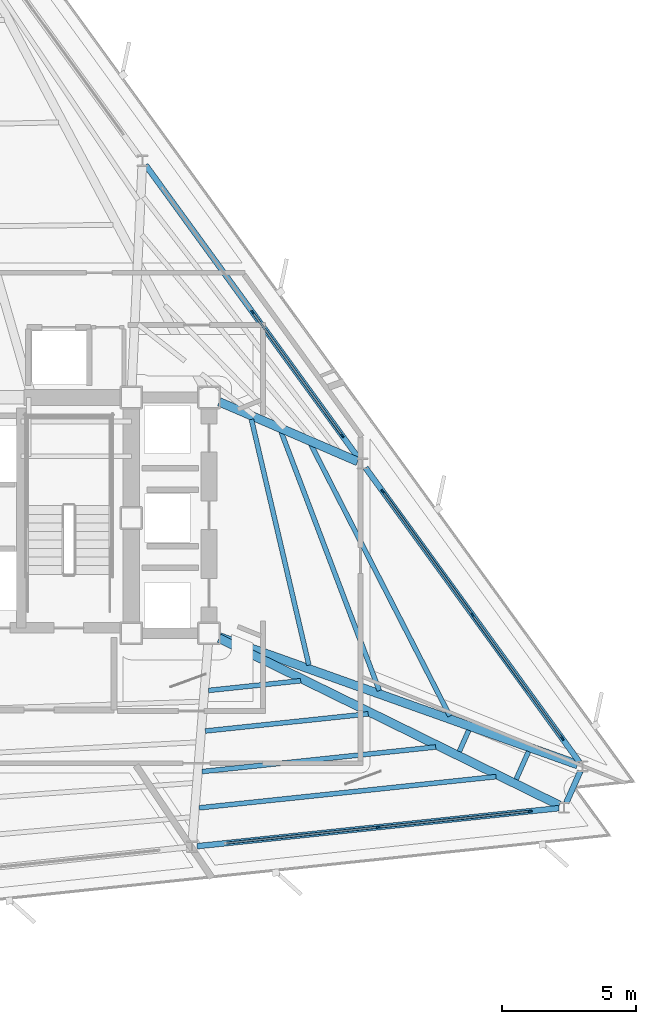
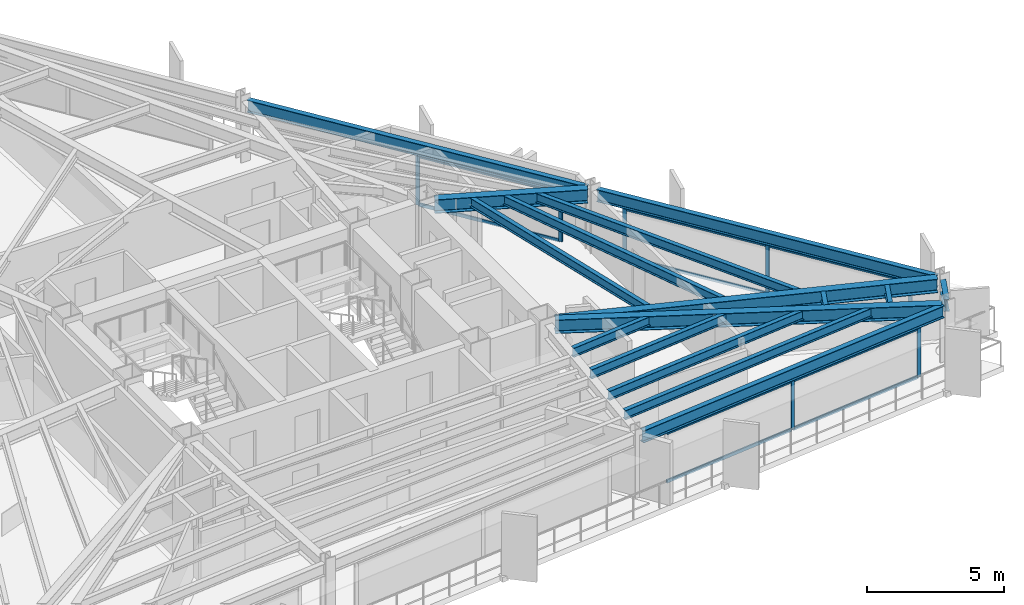
# One storey, part 5 of 13: 17 members, 16 beams, 3 elements without a shape of their own.
"""IFC4 building model written with IfcOpenShell, lengths in metres."""

from ifc_helpers import new_model, si_unit, direction, frame, origin, origin_2d, place, context, subcontext, project, spatial, rectangle, i_section, extrude, material, layer, layer_set, material_profile, profile_set, type_object, element, aggregate, save


model = new_model("IFC4")

# Units and contexts
model_context = context("Model", 3, precision=1e-05, world=origin(), true_north=direction((0.0, 1.0)))
body_context = subcontext(model_context, "Body", "Model", "MODEL_VIEW")
ifc_project = project(units=[si_unit("LENGTHUNIT", "METRE"), si_unit("AREAUNIT", "SQUARE_METRE"), si_unit("VOLUMEUNIT", "CUBIC_METRE"), si_unit("PLANEANGLEUNIT", "RADIAN"), si_unit("MASSUNIT", "GRAM", prefix="KILO")], contexts=[model_context])

# Site, building, storey
site_placement = place(None, origin())
site = spatial("IfcSite", under=ifc_project, at=site_placement, CompositionType="ELEMENT")
building_placement = place(site_placement, origin())
building = spatial("IfcBuilding", under=site, at=building_placement, Name="Rocaltana Carrier Exchange", CompositionType="ELEMENT")
storey_placement = place(building_placement, frame((0.0, 0.0, 119.840087890625)))
storey = spatial("IfcBuildingStorey", under=building, at=storey_placement, Name="L37", CompositionType="ELEMENT", Elevation=119.840087890625)

# Curtain wall, members
ifc_material_1 = material(Name="Aluminium 6063-T6", Category="aluminium")
ifc_layer = layer(ifc_material_1, 0.14990234375)
ifc_layer_set = layer_set([ifc_layer], Name="Aluminium 6063-T6")
curtain_wall_type = type_object("IfcCurtainWallType", Name="Mid-Tower Unitised Curtain Wall CW-03", PredefinedType="NOTDEFINED", material=ifc_layer_set)
curtain_wall_1_placement = place(storey_placement, origin())
curtain_wall_1 = element("IfcCurtainWall", 1, at=curtain_wall_1_placement, inside=storey, type_object=curtain_wall_type, Name="L37 CW-03 Run CW-L37-F1S1", PredefinedType="NOTDEFINED")
ifc_material_2 = material(Name="Aluminium 6063-T6", Category="aluminium")
ifc_material_profile_1 = material_profile(ifc_material_2, rectangle(XDim=0.06005859375, YDim=0.14990234375, at=origin_2d()), Name="AL-60X150")
ifc_profile_set_1 = profile_set([ifc_material_profile_1], Name="Aluminium 6063-T6")
member_type_1 = type_object("IfcMemberType", Name="CW-03 Mullion AL-60X150", PredefinedType="MULLION", material=ifc_profile_set_1)
member_1_placement = place(storey_placement, frame((22.13427734375, -8.23193359375, 0.0), z_axis=(0.0, 0.0, 1.0), x_axis=(-0.809013555195, -0.587789985889, 0.0)))
member_1 = element("IfcMember", 2, at=member_1_placement, type_object=member_type_1, Name="CW-03 mullion 1", PredefinedType="MULLION", context=body_context, shape_type="SweptSolid", body=[
    extrude(rectangle(XDim=0.06005859375, YDim=0.14990234375, at=origin_2d()), origin(), (0.0, 0.0, 1.0), 2.218017578125),
])
member_2_placement = place(storey_placement, frame((18.781982421875, -3.617919921875, 0.0), z_axis=(0.0, 0.0, 1.0), x_axis=(-0.809013555195, -0.587789985889, 0.0)))
member_2 = element("IfcMember", 3, at=member_2_placement, type_object=member_type_1, Name="CW-03 mullion 2", PredefinedType="MULLION", context=body_context, shape_type="SweptSolid", body=[
    extrude(rectangle(XDim=0.06005859375, YDim=0.14990234375, at=origin_2d()), origin(), (0.0, 0.0, 1.0), 2.218017578125),
])
member_3_placement = place(storey_placement, frame((15.429443359375, 0.99609375, 0.0), z_axis=(0.0, 0.0, 1.0), x_axis=(-0.809013555195, -0.587789985889, 0.0)))
member_3 = element("IfcMember", 4, at=member_3_placement, type_object=member_type_1, Name="CW-03 mullion 3", PredefinedType="MULLION", context=body_context, shape_type="SweptSolid", body=[
    extrude(rectangle(XDim=0.06005859375, YDim=0.14990234375, at=origin_2d()), origin(), (0.0, 0.0, 1.0), 2.218017578125),
])

curtain_wall_2_placement = place(storey_placement, origin())
curtain_wall_2 = element("IfcCurtainWall", 5, at=curtain_wall_2_placement, inside=storey, type_object=curtain_wall_type, Name="L37 CW-03 Run CW-L37-F1S2", PredefinedType="NOTDEFINED")
member_4_placement = place(storey_placement, frame((13.9248046875, 3.0673828125, 0.0), z_axis=(0.0, 0.0, 1.0), x_axis=(-0.809013555195, -0.587789985889, 0.0)))
member_4 = element("IfcMember", 6, at=member_4_placement, type_object=member_type_1, Name="CW-03 mullion 1", PredefinedType="MULLION", context=body_context, shape_type="SweptSolid", body=[
    extrude(rectangle(XDim=0.06005859375, YDim=0.14990234375, at=origin_2d()), origin(), (0.0, 0.0, 1.0), 2.218017578125),
])
member_5_placement = place(storey_placement, frame((10.572509765625, 7.681396484375, 0.0), z_axis=(0.0, 0.0, 1.0), x_axis=(-0.809013555195, -0.587789985889, 0.0)))
member_5 = element("IfcMember", 7, at=member_5_placement, type_object=member_type_1, Name="CW-03 mullion 2", PredefinedType="MULLION", context=body_context, shape_type="SweptSolid", body=[
    extrude(rectangle(XDim=0.06005859375, YDim=0.14990234375, at=origin_2d()), origin(), (0.0, 0.0, 1.0), 2.218017578125),
])

curtain_wall_3_placement = place(storey_placement, origin())
curtain_wall_3 = element("IfcCurtainWall", 8, at=curtain_wall_3_placement, inside=storey, type_object=curtain_wall_type, Name="L37 CW-03 Run CW-L37-F3S3", PredefinedType="NOTDEFINED")
member_6_placement = place(storey_placement, frame((15.256103515625, -11.536865234375, 0.0), z_axis=(0.0, 0.0, 1.0), x_axis=(-0.104521806959, 0.994522594952, 0.0)))
member_6 = element("IfcMember", 9, at=member_6_placement, type_object=member_type_1, Name="CW-03 mullion 2", PredefinedType="MULLION", context=body_context, shape_type="SweptSolid", body=[
    extrude(rectangle(XDim=0.06005859375, YDim=0.14990234375, at=origin_2d()), origin(), (0.0, 0.0, 1.0), 2.218017578125),
])
member_7_placement = place(storey_placement, frame((20.92822265625, -10.940673828125, 0.0), z_axis=(0.0, 0.0, 1.0), x_axis=(-0.104521806959, 0.994522594952, 0.0)))
member_7 = element("IfcMember", 10, at=member_7_placement, type_object=member_type_1, Name="CW-03 mullion 3", PredefinedType="MULLION", context=body_context, shape_type="SweptSolid", body=[
    extrude(rectangle(XDim=0.06005859375, YDim=0.14990234375, at=origin_2d()), origin(), (0.0, 0.0, 1.0), 2.218017578125),
])

# Member
ifc_material_3 = material(Name="Aluminium 6063-T6", Category="aluminium")
ifc_material_profile_2 = material_profile(ifc_material_3, rectangle(XDim=0.06005859375, YDim=0.14990234375, at=origin_2d()), Name="AL-60X150")
ifc_profile_set_2 = profile_set([ifc_material_profile_2], Name="Aluminium 6063-T6")
member_type_2 = type_object("IfcMemberType", Name="CW-03 Transom AL-60X150", PredefinedType="USERDEFINED", material=ifc_profile_set_2)
member_8_placement = place(storey_placement, frame((22.11669921875, -8.207763671875, 0.030029296875), z_axis=(-0.587803791035, 0.809003524866, 0.0), x_axis=(-0.809003524866, -0.587803791035, 0.0)))
member_8 = element("IfcMember", 11, at=member_8_placement, type_object=member_type_2, Name="CW-03 transom 1.1", ObjectType="TRANSOM", PredefinedType="USERDEFINED", context=body_context, shape_type="SweptSolid", body=[
    extrude(rectangle(XDim=0.06005859375, YDim=0.14990234375, at=origin_2d()), origin(), (0.0, 0.0, 1.0), 5.643310546875),
])

member_9_placement = place(storey_placement, frame((22.11669921875, -8.207763671875, 2.18798828125), z_axis=(-0.587803791035, 0.809003524866, 0.0), x_axis=(-0.809003524866, -0.587803791035, 0.0)))
member_9 = element("IfcMember", 12, at=member_9_placement, type_object=member_type_2, Name="CW-03 transom 1.2", ObjectType="TRANSOM", PredefinedType="USERDEFINED", context=body_context, shape_type="SweptSolid", body=[
    extrude(rectangle(XDim=0.06005859375, YDim=0.14990234375, at=origin_2d()), origin(), (0.0, 0.0, 1.0), 5.643310546875),
])

member_10_placement = place(storey_placement, frame((18.76416015625, -3.59375, 0.030029296875), z_axis=(-0.587754903167, 0.809039043436, 0.0), x_axis=(-0.809039043436, -0.587754903167, 0.0)))
member_10 = element("IfcMember", 13, at=member_10_placement, type_object=member_type_2, Name="CW-03 transom 2.1", ObjectType="TRANSOM", PredefinedType="USERDEFINED", context=body_context, shape_type="SweptSolid", body=[
    extrude(rectangle(XDim=0.06005859375, YDim=0.14990234375, at=origin_2d()), origin(), (0.0, 0.0, 1.0), 5.643310546875),
])

member_11_placement = place(storey_placement, frame((18.76416015625, -3.59375, 2.18798828125), z_axis=(-0.587754903167, 0.809039043436, 0.0), x_axis=(-0.809039043436, -0.587754903167, 0.0)))
member_11 = element("IfcMember", 14, at=member_11_placement, type_object=member_type_2, Name="CW-03 transom 2.2", ObjectType="TRANSOM", PredefinedType="USERDEFINED", context=body_context, shape_type="SweptSolid", body=[
    extrude(rectangle(XDim=0.06005859375, YDim=0.14990234375, at=origin_2d()), origin(), (0.0, 0.0, 1.0), 5.643310546875),
])

aggregate(curtain_wall_1, [member_1, member_2, member_3, member_8, member_9, member_10, member_11])

member_12_placement = place(storey_placement, frame((13.9072265625, 3.091552734375, 0.030029296875), z_axis=(-0.587803791035, 0.809003524866, 0.0), x_axis=(-0.809003524866, -0.587803791035, 0.0)))
member_12 = element("IfcMember", 15, at=member_12_placement, type_object=member_type_2, Name="CW-03 transom 1.1", ObjectType="TRANSOM", PredefinedType="USERDEFINED", context=body_context, shape_type="SweptSolid", body=[
    extrude(rectangle(XDim=0.06005859375, YDim=0.14990234375, at=origin_2d()), origin(), (0.0, 0.0, 1.0), 5.643310546875),
])

member_13_placement = place(storey_placement, frame((13.9072265625, 3.091552734375, 2.18798828125), z_axis=(-0.587803791035, 0.809003524866, 0.0), x_axis=(-0.809003524866, -0.587803791035, 0.0)))
member_13 = element("IfcMember", 16, at=member_13_placement, type_object=member_type_2, Name="CW-03 transom 1.2", ObjectType="TRANSOM", PredefinedType="USERDEFINED", context=body_context, shape_type="SweptSolid", body=[
    extrude(rectangle(XDim=0.06005859375, YDim=0.14990234375, at=origin_2d()), origin(), (0.0, 0.0, 1.0), 5.643310546875),
])

aggregate(curtain_wall_2, [member_4, member_5, member_12, member_13])

member_14_placement = place(storey_placement, frame((9.614013671875, -12.129638671875, 0.030029296875), z_axis=(0.99452250772, 0.104522636969, 0.0), x_axis=(-0.104522636969, 0.99452250772, 0.0)))
member_14 = element("IfcMember", 17, at=member_14_placement, type_object=member_type_2, Name="CW-03 transom 1.1", ObjectType="TRANSOM", PredefinedType="USERDEFINED", context=body_context, shape_type="SweptSolid", body=[
    extrude(rectangle(XDim=0.06005859375, YDim=0.14990234375, at=origin_2d()), origin(), (0.0, 0.0, 1.0), 5.643310546875),
])

member_15_placement = place(storey_placement, frame((9.614013671875, -12.129638671875, 2.18798828125), z_axis=(0.99452250772, 0.104522636969, 0.0), x_axis=(-0.104522636969, 0.99452250772, 0.0)))
member_15 = element("IfcMember", 18, at=member_15_placement, type_object=member_type_2, Name="CW-03 transom 1.2", ObjectType="TRANSOM", PredefinedType="USERDEFINED", context=body_context, shape_type="SweptSolid", body=[
    extrude(rectangle(XDim=0.06005859375, YDim=0.14990234375, at=origin_2d()), origin(), (0.0, 0.0, 1.0), 5.643310546875),
])

member_16_placement = place(storey_placement, frame((15.285888671875, -11.53369140625, 0.030029296875), z_axis=(0.994522980333, 0.104518140001, 0.0), x_axis=(-0.104518140001, 0.994522980333, 0.0)))
member_16 = element("IfcMember", 19, at=member_16_placement, type_object=member_type_2, Name="CW-03 transom 2.1", ObjectType="TRANSOM", PredefinedType="USERDEFINED", context=body_context, shape_type="SweptSolid", body=[
    extrude(rectangle(XDim=0.06005859375, YDim=0.14990234375, at=origin_2d()), origin(), (0.0, 0.0, 1.0), 5.6435546875),
])

member_17_placement = place(storey_placement, frame((15.285888671875, -11.53369140625, 2.18798828125), z_axis=(0.994522980333, 0.104518140001, 0.0), x_axis=(-0.104518140001, 0.994522980333, 0.0)))
member_17 = element("IfcMember", 20, at=member_17_placement, type_object=member_type_2, Name="CW-03 transom 2.2", ObjectType="TRANSOM", PredefinedType="USERDEFINED", context=body_context, shape_type="SweptSolid", body=[
    extrude(rectangle(XDim=0.06005859375, YDim=0.14990234375, at=origin_2d()), origin(), (0.0, 0.0, 1.0), 5.6435546875),
])

aggregate(curtain_wall_3, [member_6, member_7, member_14, member_15, member_16, member_17])

# Beams
ifc_material_4 = material(Name="Steel S355", Category="steel")
ifc_material_profile_3 = material_profile(ifc_material_4, i_section(OverallWidth=0.179931640625, OverallDepth=0.4130859375, WebThickness=0.009765625, FlangeThickness=0.01611328125, FilletRadius=0.012939453125, at=origin_2d()), Name="W16X50")
ifc_profile_set_3 = profile_set([ifc_material_profile_3], Name="Steel S355")
beam_type_1 = type_object("IfcBeamType", Name="Floor Joist W16X50", PredefinedType="JOIST", material=ifc_profile_set_3)
beam_1_placement = place(storey_placement, frame((12.67724609375, -5.489501953125, 2.581298828125), z_axis=(-0.227766297883, 0.973715827924, 0.0), x_axis=(-0.973715827924, -0.227766297883, 0.0)))
element("IfcBeam", 21, at=beam_1_placement, inside=storey, type_object=beam_type_1, Name="FJ-L37-01-1", PredefinedType="JOIST", context=body_context, shape_type="SweptSolid", body=[
    extrude(i_section(OverallWidth=0.179931640625, OverallDepth=0.4130859375, WebThickness=0.009765625, FlangeThickness=0.01611328125, FilletRadius=0.012939453125, at=origin_2d()), origin(), (0.0, 0.0, 1.0), 9.418701171875),
])
beam_2_placement = place(storey_placement, frame((15.305419921875, -6.439208984375, 2.581298828125), z_axis=(-0.35483732757, 0.934928056571, 0.0), x_axis=(-0.934928056571, -0.35483732757, 0.0)))
element("IfcBeam", 22, at=beam_2_placement, inside=storey, type_object=beam_type_1, Name="FJ-L37-01-2", PredefinedType="JOIST", context=body_context, shape_type="SweptSolid", body=[
    extrude(i_section(OverallWidth=0.179931640625, OverallDepth=0.4130859375, WebThickness=0.009765625, FlangeThickness=0.01611328125, FilletRadius=0.012939453125, at=origin_2d()), origin(), (0.0, 0.0, 1.0), 10.330078125),
])
beam_3_placement = place(storey_placement, frame((17.937744140625, -7.39013671875, 2.581298828125), z_axis=(-0.455649490969, 0.890159278657, 0.0), x_axis=(-0.890159278657, -0.455649490969, 0.0)))
element("IfcBeam", 23, at=beam_3_placement, inside=storey, type_object=beam_type_1, Name="FJ-L37-01-3", PredefinedType="JOIST", context=body_context, shape_type="SweptSolid", body=[
    extrude(i_section(OverallWidth=0.179931640625, OverallDepth=0.4130859375, WebThickness=0.009765625, FlangeThickness=0.01611328125, FilletRadius=0.012939453125, at=origin_2d()), origin(), (0.0, 0.0, 1.0), 11.398681640625),
])
beam_4_placement = place(storey_placement, frame((8.9326171875, -6.434814453125, 2.581298828125), z_axis=(0.994514730504, 0.104596609936, 0.0), x_axis=(-0.104596609936, 0.994514730504, 0.0)))
element("IfcBeam", 24, at=beam_4_placement, inside=storey, type_object=beam_type_1, Name="FJ-L37-11-1", PredefinedType="JOIST", context=body_context, shape_type="SweptSolid", body=[
    extrude(i_section(OverallWidth=0.179931640625, OverallDepth=0.4130859375, WebThickness=0.009765625, FlangeThickness=0.01611328125, FilletRadius=0.012939453125, at=origin_2d()), origin(), (0.0, 0.0, 1.0), 3.459228515625),
])
beam_5_placement = place(storey_placement, frame((8.811279296875, -7.948486328125, 2.581298828125), z_axis=(0.994518139026, 0.104564196304, 0.0), x_axis=(-0.104564196304, 0.994518139026, 0.0)))
element("IfcBeam", 25, at=beam_5_placement, inside=storey, type_object=beam_type_1, Name="FJ-L37-11-2", PredefinedType="JOIST", context=body_context, shape_type="SweptSolid", body=[
    extrude(i_section(OverallWidth=0.179931640625, OverallDepth=0.4130859375, WebThickness=0.009765625, FlangeThickness=0.01611328125, FilletRadius=0.012939453125, at=origin_2d()), origin(), (0.0, 0.0, 1.0), 6.112548828125),
])
beam_6_placement = place(storey_placement, frame((8.68994140625, -9.4619140625, 2.581298828125), z_axis=(0.994522683524, 0.104520964191, 0.0), x_axis=(-0.104520964191, 0.994522683524, 0.0)))
element("IfcBeam", 26, at=beam_6_placement, inside=storey, type_object=beam_type_1, Name="FJ-L37-11-3", PredefinedType="JOIST", context=body_context, shape_type="SweptSolid", body=[
    extrude(i_section(OverallWidth=0.179931640625, OverallDepth=0.4130859375, WebThickness=0.009765625, FlangeThickness=0.01611328125, FilletRadius=0.012939453125, at=origin_2d()), origin(), (0.0, 0.0, 1.0), 8.766357421875),
])
beam_7_placement = place(storey_placement, frame((8.581298828125, -10.81640625, 2.581298828125), z_axis=(0.994521531783, 0.104531922494, 0.0), x_axis=(-0.104531922494, 0.994521531783, 0.0)))
element("IfcBeam", 27, at=beam_7_placement, inside=storey, type_object=beam_type_1, Name="FJ-L37-11-4", PredefinedType="JOIST", context=body_context, shape_type="SweptSolid", body=[
    extrude(i_section(OverallWidth=0.179931640625, OverallDepth=0.4130859375, WebThickness=0.009765625, FlangeThickness=0.01611328125, FilletRadius=0.012939453125, at=origin_2d()), origin(), (0.0, 0.0, 1.0), 11.140625),
])
beam_8_placement = place(storey_placement, frame((18.289306640625, -8.71240234375, 2.581298828125), z_axis=(0.406686773762, 0.913567659261, 0.0), x_axis=(-0.913567659261, 0.406686773762, 0.0)))
element("IfcBeam", 28, at=beam_8_placement, inside=storey, type_object=beam_type_1, Name="FJ-L37-12-3", PredefinedType="JOIST", context=body_context, shape_type="SweptSolid", body=[
    extrude(i_section(OverallWidth=0.179931640625, OverallDepth=0.4130859375, WebThickness=0.009765625, FlangeThickness=0.01611328125, FilletRadius=0.012939453125, at=origin_2d()), origin(), (0.0, 0.0, 1.0), 0.867431640625),
])
beam_9_placement = place(storey_placement, frame((20.409423828125, -9.75341796875, 2.581298828125), z_axis=(0.40683553357, 0.913501422344, 0.0), x_axis=(-0.913501422344, 0.40683553357, 0.0)))
element("IfcBeam", 29, at=beam_9_placement, inside=storey, type_object=beam_type_1, Name="FJ-L37-12-4", PredefinedType="JOIST", context=body_context, shape_type="SweptSolid", body=[
    extrude(i_section(OverallWidth=0.179931640625, OverallDepth=0.4130859375, WebThickness=0.009765625, FlangeThickness=0.01611328125, FilletRadius=0.012939453125, at=origin_2d()), origin(), (0.0, 0.0, 1.0), 1.13720703125),
])
ifc_material_5 = material(Name="Steel S355", Category="steel")
ifc_material_profile_4 = material_profile(ifc_material_5, i_section(OverallWidth=0.323974609375, OverallDepth=0.611083984375, WebThickness=0.0126953125, FlangeThickness=0.01904296875, FilletRadius=0.01611328125, at=origin_2d()), Name="W24X104")
ifc_profile_set_4 = profile_set([ifc_material_profile_4], Name="Steel S355")
beam_type_2 = type_object("IfcBeamType", Name="Radial Girder W24X104", PredefinedType="BEAM", material=ifc_profile_set_4)
beam_10_placement = place(storey_placement, frame((9.3427734375, -4.43994140625, 2.482421875), z_axis=(0.941948523593, -0.335757321441, 0.0), x_axis=(0.335757321441, 0.941948523593, 0.0)))
element("IfcBeam", 30, at=beam_10_placement, inside=storey, type_object=beam_type_2, Name="RG-L37-01", PredefinedType="BEAM", context=body_context, shape_type="SweptSolid", body=[
    extrude(i_section(OverallWidth=0.323974609375, OverallDepth=0.611083984375, WebThickness=0.0126953125, FlangeThickness=0.01904296875, FilletRadius=0.01611328125, at=origin_2d()), origin(), (0.0, 0.0, 1.0), 14.18359375),
])
beam_11_placement = place(storey_placement, frame((9.3330078125, 4.3349609375, 2.482421875), z_axis=(0.918339320376, -0.395794002798, 0.0), x_axis=(0.395794002798, 0.918339320376, 0.0)))
element("IfcBeam", 31, at=beam_11_placement, inside=storey, type_object=beam_type_2, Name="RG-L37-02", PredefinedType="BEAM", context=body_context, shape_type="SweptSolid", body=[
    extrude(i_section(OverallWidth=0.323974609375, OverallDepth=0.611083984375, WebThickness=0.0126953125, FlangeThickness=0.01904296875, FilletRadius=0.01611328125, at=origin_2d()), origin(), (0.0, 0.0, 1.0), 5.624267578125),
])
beam_12_placement = place(storey_placement, frame((9.32421875, -4.48388671875, 2.482421875), z_axis=(0.897623430204, -0.440763176263, 0.0), x_axis=(0.440763176263, 0.897623430204, 0.0)))
element("IfcBeam", 32, at=beam_12_placement, inside=storey, type_object=beam_type_2, Name="RG-L37-12", PredefinedType="BEAM", context=body_context, shape_type="SweptSolid", body=[
    extrude(i_section(OverallWidth=0.323974609375, OverallDepth=0.611083984375, WebThickness=0.0126953125, FlangeThickness=0.01904296875, FilletRadius=0.01611328125, at=origin_2d()), origin(), (0.0, 0.0, 1.0), 14.150634765625),
])
ifc_material_6 = material(Name="Steel S355", Category="steel")
ifc_material_profile_5 = material_profile(ifc_material_6, i_section(OverallWidth=0.2119140625, OverallDepth=0.5439453125, WebThickness=0.01318359375, FlangeThickness=0.021240234375, FilletRadius=0.014892578125, at=origin_2d()), Name="W21X83")
ifc_profile_set_5 = profile_set([ifc_material_profile_5], Name="Steel S355")
beam_type_3 = type_object("IfcBeamType", Name="Spandrel Edge Beam W21X83", PredefinedType="SPANDREL", material=ifc_profile_set_5)
beam_13_placement = place(storey_placement, frame((22.77197265625, -9.10986328125, 2.515869140625), z_axis=(-0.587792057578, 0.809012050002, 0.0), x_axis=(-0.809012050002, -0.587792057578, 0.0)))
element("IfcBeam", 33, at=beam_13_placement, inside=storey, type_object=beam_type_3, Name="SP-L37-01", PredefinedType="SPANDREL", context=body_context, shape_type="SweptSolid", body=[
    extrude(i_section(OverallWidth=0.2119140625, OverallDepth=0.5439453125, WebThickness=0.01318359375, FlangeThickness=0.021240234375, FilletRadius=0.014892578125, at=origin_2d()), origin(), (0.0, 0.0, 1.0), 13.57666015625),
])
beam_14_placement = place(storey_placement, frame((14.5625, 2.189453125, 2.515869140625), z_axis=(-0.587780287875, 0.809020601212, 0.0), x_axis=(-0.809020601212, -0.587780287875, 0.0)))
element("IfcBeam", 34, at=beam_14_placement, inside=storey, type_object=beam_type_3, Name="SP-L37-02", PredefinedType="SPANDREL", context=body_context, shape_type="SweptSolid", body=[
    extrude(i_section(OverallWidth=0.2119140625, OverallDepth=0.5439453125, WebThickness=0.01318359375, FlangeThickness=0.021240234375, FilletRadius=0.014892578125, at=origin_2d()), origin(), (0.0, 0.0, 1.0), 13.576416015625),
])
beam_15_placement = place(storey_placement, frame((8.5048828125, -12.246337890625, 2.515869140625), z_axis=(0.994521698777, 0.104530333689, 0.0), x_axis=(-0.104530333689, 0.994521698777, 0.0)))
element("IfcBeam", 35, at=beam_15_placement, inside=storey, type_object=beam_type_3, Name="SP-L37-11", PredefinedType="SPANDREL", context=body_context, shape_type="SweptSolid", body=[
    extrude(i_section(OverallWidth=0.2119140625, OverallDepth=0.5439453125, WebThickness=0.01318359375, FlangeThickness=0.021240234375, FilletRadius=0.014892578125, at=origin_2d()), origin(), (0.0, 0.0, 1.0), 13.576904296875),
])
beam_16_placement = place(storey_placement, frame((22.280517578125, -10.628662109375, 2.515869140625), z_axis=(0.406873064425, 0.913484706738, 0.0), x_axis=(-0.913484706738, 0.406873064425, 0.0)))
element("IfcBeam", 36, at=beam_16_placement, inside=storey, type_object=beam_type_3, Name="SP-L37-12", PredefinedType="SPANDREL", context=body_context, shape_type="SweptSolid", body=[
    extrude(i_section(OverallWidth=0.2119140625, OverallDepth=0.5439453125, WebThickness=0.01318359375, FlangeThickness=0.021240234375, FilletRadius=0.014892578125, at=origin_2d()), origin(), (0.0, 0.0, 1.0), 1.294921875),
])

save(model, "model.ifc")
